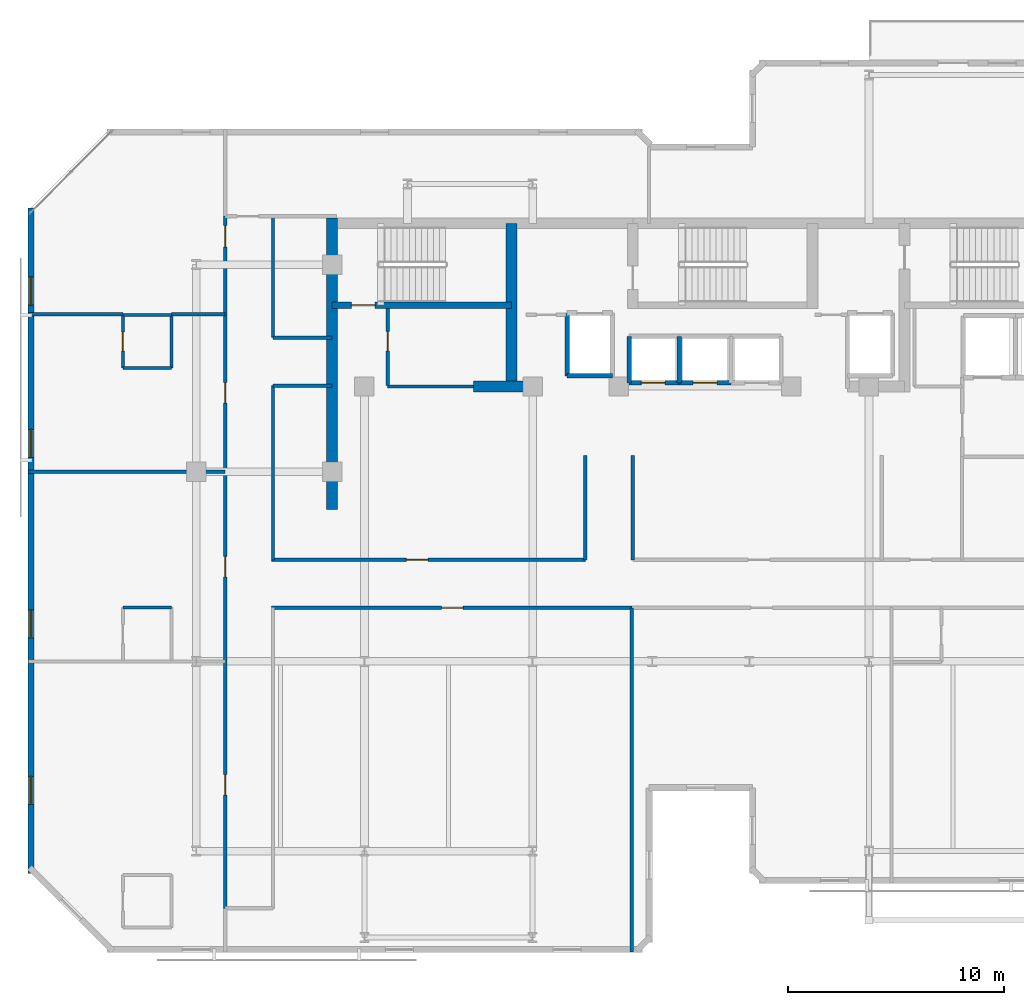
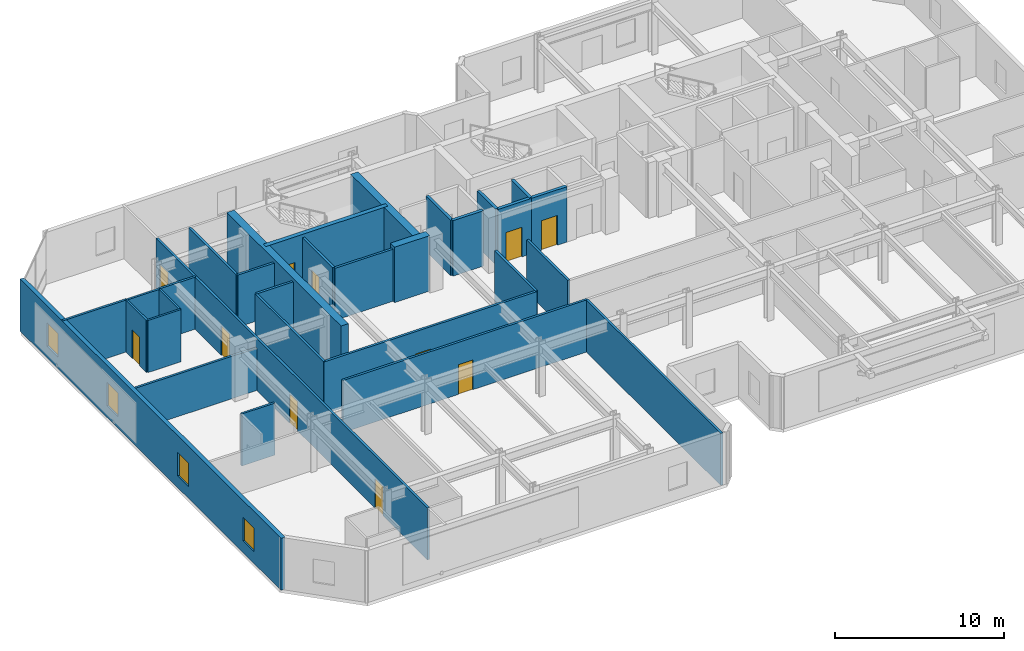
# One storey, part 4 of 10: 31 walls, 11 doors, 4 windows, 15 openings.
"""IFC4 building model written with IfcOpenShell, lengths in metres."""

from ifc_helpers import new_model, si_unit, direction, frame, frame_2d, origin, place, context, subcontext, project, spatial, rectangle, extrude, material, layer, layer_set, type_object, element, fill, save


model = new_model("IFC4")

# Units and contexts
model_context = context("Model", 3, precision=1e-05, world=origin(), true_north=direction((0.0, 1.0)))
body_context = subcontext(model_context, "Body", "Model", "MODEL_VIEW")
ifc_project = project(units=[si_unit("LENGTHUNIT", "METRE"), si_unit("AREAUNIT", "SQUARE_METRE"), si_unit("VOLUMEUNIT", "CUBIC_METRE"), si_unit("PLANEANGLEUNIT", "RADIAN"), si_unit("MASSUNIT", "GRAM", prefix="KILO")], contexts=[model_context])

# Site, building, storey
site_placement = place(None, origin())
site = spatial("IfcSite", under=ifc_project, at=site_placement, CompositionType="ELEMENT")
building_placement = place(site_placement, origin())
building = spatial("IfcBuilding", under=site, at=building_placement, Name="Kestravale Grand Hotel", CompositionType="ELEMENT")
storey_placement = place(building_placement, frame((0.0, 0.0, 261.39990234375)))
storey = spatial("IfcBuildingStorey", under=building, at=storey_placement, Name="L65", CompositionType="ELEMENT", Elevation=261.39990234375)

# Walls
ifc_material_1 = material(Name="Concrete f'c 50 MPa", Category="concrete")
ifc_layer_1 = layer(ifc_material_1, 0.5)
ifc_layer_set_1 = layer_set([ifc_layer_1], Name="EW-CORE-500")
wall_type_1 = type_object("IfcWallType", Name="EW-CORE-500", PredefinedType="SHEAR", material=ifc_layer_set_1)
wall_1_placement = place(storey_placement, frame((21.89990234375, 27.050048828125, 0.0), z_axis=(0.0, 0.0, 1.0), x_axis=(0.0, 1.0, 0.0)))
element("IfcWall", 1, at=wall_1_placement, inside=storey, type_object=wall_type_1, Name="L65 core shear wall W1", PredefinedType="SHEAR", context=body_context, shape_type="SweptSolid", body=[
    extrude(rectangle(XDim=13.52001953125, YDim=0.5, at=frame_2d((6.760009765625, 0.0))), origin(), (0.0, 0.0, 1.0), 4.0),
])
wall_2_placement = place(storey_placement, frame((28.449951171875, 32.75, 0.0), z_axis=(0.0, 0.0, 1.0), x_axis=(1.0, 0.0, 0.0)))
element("IfcWall", 2, at=wall_2_placement, inside=storey, type_object=wall_type_1, Name="L65 core shear wall S1", PredefinedType="SHEAR", context=body_context, shape_type="SweptSolid", body=[
    extrude(rectangle(XDim=2.400146484375, YDim=0.5, at=frame_2d((1.2001953125, 0.0))), origin(), (0.0, 0.0, 1.0), 4.0),
])
wall_3_placement = place(storey_placement, frame((30.219970703125, 33.0, 0.0), z_axis=(0.0, 0.0, 1.0), x_axis=(0.0, 1.0, 0.0)))
element("IfcWall", 3, at=wall_3_placement, inside=storey, type_object=wall_type_1, Name="L65 core shear wall X1", PredefinedType="SHEAR", context=body_context, shape_type="SweptSolid", body=[
    extrude(rectangle(XDim=7.320068359375, YDim=0.5, at=frame_2d((3.66015625, 0.0))), origin(), (0.0, 0.0, 1.0), 4.0),
])

# Wall, openings, windows
ifc_material_2 = material(Name="Precast concrete f'c 45 MPa", Category="concrete")
ifc_layer_2 = layer(ifc_material_2, 0.280029296875)
ifc_layer_set_2 = layer_set([ifc_layer_2], Name="EW-PREC-280")
wall_type_2 = type_object("IfcWallType", Name="EW-PREC-280", PredefinedType="SOLIDWALL", material=ifc_layer_set_2)
wall_4_placement = place(storey_placement, frame((7.93994140625, 41.0400390625, 0.0), z_axis=(0.0, 0.0, 1.0), x_axis=(0.0, -1.0, 0.0)))
wall_4 = element("IfcWall", 4, at=wall_4_placement, inside=storey, type_object=wall_type_2, Name="L65 fluted precast facade wall 19", PredefinedType="SOLIDWALL", context=body_context, shape_type="SweptSolid", body=[
    extrude(rectangle(XDim=30.880126953125, YDim=0.280029296875, at=frame_2d((15.43994140625, 0.0))), origin(), (0.0, 0.0, 1.0), 3.760009765625),
])
opening_1_placement = place(wall_4_placement, frame((3.2099609375, 0.0, 0.85009765625)))
opening_1 = element("IfcOpeningElement", 5, at=opening_1_placement, cuts=wall_4, Name="Opening W-GUEST-1300", PredefinedType="OPENING", context=body_context, shape_type="SweptSolid", body=[
    extrude(rectangle(XDim=1.300048828125, YDim=1.699951171875, at=frame_2d((0.64990234375, 0.85009765625))), frame((0.0, 0.14990234375, 0.0), z_axis=(0.0, -1.0, 0.0), x_axis=(1.0, 0.0, 0.0)), (0.0, 0.0, 1.0), 0.300048828125),
])
opening_2_placement = place(wall_4_placement, frame((10.280029296875, 0.0, 0.85009765625)))
opening_2 = element("IfcOpeningElement", 6, at=opening_2_placement, cuts=wall_4, Name="Opening W-GUEST-1300", PredefinedType="OPENING", context=body_context, shape_type="SweptSolid", body=[
    extrude(rectangle(XDim=1.300048828125, YDim=1.699951171875, at=frame_2d((0.64990234375, 0.85009765625))), frame((0.0, 0.14990234375, 0.0), z_axis=(0.0, -1.0, 0.0), x_axis=(1.0, 0.0, 0.0)), (0.0, 0.0, 1.0), 0.300048828125),
])
opening_3_placement = place(wall_4_placement, frame((18.64990234375, 0.0, 0.85009765625)))
opening_3 = element("IfcOpeningElement", 7, at=opening_3_placement, cuts=wall_4, Name="Opening W-GUEST-1300", PredefinedType="OPENING", context=body_context, shape_type="SweptSolid", body=[
    extrude(rectangle(XDim=1.300048828125, YDim=1.699951171875, at=frame_2d((0.64990234375, 0.85009765625))), frame((0.0, 0.14990234375, 0.0), z_axis=(0.0, -1.0, 0.0), x_axis=(1.0, 0.0, 0.0)), (0.0, 0.0, 1.0), 0.300048828125),
])
opening_4_placement = place(wall_4_placement, frame((26.3701171875, 0.0, 0.85009765625)))
opening_4 = element("IfcOpeningElement", 8, at=opening_4_placement, cuts=wall_4, Name="Opening W-GUEST-1300", PredefinedType="OPENING", context=body_context, shape_type="SweptSolid", body=[
    extrude(rectangle(XDim=1.300048828125, YDim=1.699951171875, at=frame_2d((0.64990234375, 0.85009765625))), frame((0.0, 0.14990234375, 0.0), z_axis=(0.0, -1.0, 0.0), x_axis=(1.0, 0.0, 0.0)), (0.0, 0.0, 1.0), 0.300048828125),
])
ifc_material_3 = material(Name="Insulated low-E double glazing in aluminium frame", Category="aluminium")
window_type = type_object("IfcWindowType", Name="W-GUEST-1300", PartitioningType="SINGLE_PANEL", PredefinedType="WINDOW", material=ifc_material_3)
window_1_placement = place(opening_1_placement, origin())
window_1 = element("IfcWindow", 9, at=window_1_placement, inside=storey, type_object=window_type, Name="L65 exterior window 19.1", OverallHeight=1.699951171875, OverallWidth=1.300048828125, PartitioningType="SINGLE_PANEL", PredefinedType="WINDOW", context=body_context, shape_type="SweptSolid", body=[
    extrude(rectangle(XDim=1.300048828125, YDim=1.699951171875, at=frame_2d((0.64990234375, 0.85009765625))), frame((0.0, 0.030029296875, 0.0), z_axis=(0.0, -1.0, 0.0), x_axis=(1.0, 0.0, 0.0)), (0.0, 0.0, 1.0), 0.06005859375),
])
fill(opening_1, window_1)
window_2_placement = place(opening_2_placement, origin())
window_2 = element("IfcWindow", 10, at=window_2_placement, inside=storey, type_object=window_type, Name="L65 exterior window 19.2", OverallHeight=1.699951171875, OverallWidth=1.300048828125, PartitioningType="SINGLE_PANEL", PredefinedType="WINDOW", context=body_context, shape_type="SweptSolid", body=[
    extrude(rectangle(XDim=1.300048828125, YDim=1.699951171875, at=frame_2d((0.64990234375, 0.85009765625))), frame((0.0, 0.030029296875, 0.0), z_axis=(0.0, -1.0, 0.0), x_axis=(1.0, 0.0, 0.0)), (0.0, 0.0, 1.0), 0.06005859375),
])
fill(opening_2, window_2)
window_3_placement = place(opening_3_placement, origin())
window_3 = element("IfcWindow", 11, at=window_3_placement, inside=storey, type_object=window_type, Name="L65 exterior window 19.3", OverallHeight=1.699951171875, OverallWidth=1.300048828125, PartitioningType="SINGLE_PANEL", PredefinedType="WINDOW", context=body_context, shape_type="SweptSolid", body=[
    extrude(rectangle(XDim=1.300048828125, YDim=1.699951171875, at=frame_2d((0.64990234375, 0.85009765625))), frame((0.0, 0.030029296875, 0.0), z_axis=(0.0, -1.0, 0.0), x_axis=(1.0, 0.0, 0.0)), (0.0, 0.0, 1.0), 0.06005859375),
])
fill(opening_3, window_3)
window_4_placement = place(opening_4_placement, origin())
window_4 = element("IfcWindow", 12, at=window_4_placement, inside=storey, type_object=window_type, Name="L65 exterior window 19.4", OverallHeight=1.699951171875, OverallWidth=1.300048828125, PartitioningType="SINGLE_PANEL", PredefinedType="WINDOW", context=body_context, shape_type="SweptSolid", body=[
    extrude(rectangle(XDim=1.300048828125, YDim=1.699951171875, at=frame_2d((0.64990234375, 0.85009765625))), frame((0.0, 0.030029296875, 0.0), z_axis=(0.0, -1.0, 0.0), x_axis=(1.0, 0.0, 0.0)), (0.0, 0.0, 1.0), 0.06005859375),
])
fill(opening_4, window_4)

# Wall, opening, door
ifc_material_4 = material(Name="Concrete f'c 45 MPa", Category="concrete")
ifc_layer_3 = layer(ifc_material_4, 0.300048828125)
ifc_layer_set_3 = layer_set([ifc_layer_3], Name="EW-STAIR-300")
wall_type_3 = type_object("IfcWallType", Name="EW-STAIR-300", PredefinedType="SHEAR", material=ifc_layer_set_3)
wall_5_placement = place(storey_placement, frame((21.89990234375, 36.52001953125, 0.0), z_axis=(0.0, 0.0, 1.0), x_axis=(1.0, 0.0, 0.0)))
wall_5 = element("IfcWall", 13, at=wall_5_placement, inside=storey, type_object=wall_type_3, Name="L65 stair enclosure shear wall SST1", PredefinedType="SHEAR", context=body_context, shape_type="SweptSolid", body=[
    extrude(rectangle(XDim=8.320068359375, YDim=0.300048828125, at=frame_2d((4.16015625, 0.0))), origin(), (0.0, 0.0, 1.0), 4.0),
])
opening_5_placement = place(wall_5_placement, frame((0.89990234375, 0.0, 0.0)))
opening_5 = element("IfcOpeningElement", 14, at=opening_5_placement, cuts=wall_5, Name="Opening D-ST-1100", PredefinedType="OPENING", context=body_context, shape_type="SweptSolid", body=[
    extrude(rectangle(XDim=1.10009765625, YDim=2.14990234375, at=frame_2d((0.550048828125, 1.074951171875))), frame((0.0, 0.159912109375, 0.0), z_axis=(0.0, -1.0, 0.0), x_axis=(1.0, 0.0, 0.0)), (0.0, 0.0, 1.0), 0.320068359375),
])
ifc_material_5 = material(Name="Galvanised 90-minute fire-rated steel stair door", Category="steel")
door_type_1 = type_object("IfcDoorType", Name="D-ST-1100", OperationType="NOTDEFINED", PredefinedType="DOOR", material=ifc_material_5)
door_1_placement = place(opening_5_placement, origin())
door_1 = element("IfcDoor", 15, at=door_1_placement, inside=storey, type_object=door_type_1, Name="L65 Stair ST-1 fire door", OperationType="SINGLE_SWING_RIGHT", OverallHeight=2.14990234375, OverallWidth=1.10009765625, PredefinedType="DOOR", context=body_context, shape_type="SweptSolid", body=[
    extrude(rectangle(XDim=1.10009765625, YDim=2.14990234375, at=frame_2d((0.550048828125, 1.074951171875))), frame((0.0, 0.02490234375, 0.0), z_axis=(0.0, -1.0, 0.0), x_axis=(1.0, 0.0, 0.0)), (0.0, 0.0, 1.0), 0.050048828125),
])
fill(opening_5, door_1)

ifc_material_6 = material(Name="Acoustic fire-rated gypsum board partition", Category="other")
ifc_layer_4 = layer(ifc_material_6, 0.159912109375)
ifc_layer_set_4 = layer_set([ifc_layer_4], Name="IW-CORR-160")
wall_type_4 = type_object("IfcWallType", Name="IW-CORR-160", PredefinedType="PARTITIONING", material=ifc_layer_set_4)
wall_6_placement = place(storey_placement, frame((24.47998046875, 32.800048828125, 0.0), z_axis=(0.0, 0.0, 1.0), x_axis=(0.0, 1.0, 0.0)))
wall_6 = element("IfcWall", 16, at=wall_6_placement, inside=storey, type_object=wall_type_4, Name="L65 west core vestibule wall", PredefinedType="PARTITIONING", context=body_context, shape_type="SweptSolid", body=[
    extrude(rectangle(XDim=3.570068359375, YDim=0.159912109375, at=frame_2d((1.78515625, 0.0))), origin(), (0.0, 0.0, 1.0), 3.760009765625),
])
opening_6_placement = place(wall_6_placement, frame((1.603515625, 0.0, 0.0)))
opening_6 = element("IfcOpeningElement", 17, at=opening_6_placement, cuts=wall_6, Name="Opening D-SH-900", PredefinedType="OPENING", context=body_context, shape_type="SweptSolid", body=[
    extrude(rectangle(XDim=0.89990234375, YDim=2.10009765625, at=frame_2d((0.449951171875, 1.050048828125))), frame((0.0, 0.08984375, 0.0), z_axis=(0.0, -1.0, 0.0), x_axis=(1.0, 0.0, 0.0)), (0.0, 0.0, 1.0), 0.179931640625),
])
ifc_material_7 = material(Name="Galvanised 90-minute shaft and service fire door", Category="steel")
door_type_2 = type_object("IfcDoorType", Name="D-SH-900", OperationType="NOTDEFINED", PredefinedType="DOOR", material=ifc_material_7)
door_2_placement = place(opening_6_placement, origin())
door_2 = element("IfcDoor", 18, at=door_2_placement, inside=storey, type_object=door_type_2, Name="D-L65-HK", OperationType="SINGLE_SWING_RIGHT", OverallHeight=2.10009765625, OverallWidth=0.89990234375, PredefinedType="DOOR", context=body_context, shape_type="SweptSolid", body=[
    extrude(rectangle(XDim=0.89990234375, YDim=2.10009765625, at=frame_2d((0.449951171875, 1.050048828125))), frame((0.0, 0.02490234375, 0.0), z_axis=(0.0, -1.0, 0.0), x_axis=(1.0, 0.0, 0.0)), (0.0, 0.0, 1.0), 0.050048828125),
])
fill(opening_6, door_2)

# Wall
wall_7_placement = place(storey_placement, frame((24.47998046875, 32.75, 0.0), z_axis=(0.0, 0.0, 1.0), x_axis=(1.0, 0.0, 0.0)))
element("IfcWall", 19, at=wall_7_placement, inside=storey, type_object=wall_type_4, Name="W-L65-CWS", PredefinedType="PARTITIONING", context=body_context, shape_type="SweptSolid", body=[
    extrude(rectangle(XDim=3.969970703125, YDim=0.159912109375, at=frame_2d((1.98486328125, 0.0))), origin(), (0.0, 0.0, 1.0), 3.760009765625),
])

# Wall, opening, door
wall_8_placement = place(storey_placement, frame((19.10009765625, 24.7099609375, 0.0), z_axis=(0.0, 0.0, 1.0), x_axis=(1.0, 0.0, 0.0)))
wall_8 = element("IfcWall", 20, at=wall_8_placement, inside=storey, type_object=wall_type_4, Name="W-L65-CW-N", PredefinedType="PARTITIONING", context=body_context, shape_type="SweptSolid", body=[
    extrude(rectangle(XDim=14.5498046875, YDim=0.159912109375, at=frame_2d((7.27490234375, 0.0))), origin(), (0.0, 0.0, 1.0), 3.760009765625),
])
opening_7_placement = place(wall_8_placement, frame((6.25, 0.0, 0.0)))
opening_7 = element("IfcOpeningElement", 21, at=opening_7_placement, cuts=wall_8, Name="Opening D-GUEST-1000", PredefinedType="OPENING", context=body_context, shape_type="SweptSolid", body=[
    extrude(rectangle(XDim=1.0, YDim=2.14990234375, at=frame_2d((0.5, 1.074951171875))), frame((0.0, 0.08984375, 0.0), z_axis=(0.0, -1.0, 0.0), x_axis=(1.0, 0.0, 0.0)), (0.0, 0.0, 1.0), 0.179931640625),
])
ifc_material_8 = material(Name="Accessible walnut veneer hotel entrance fire door", Category="wood")
door_type_3 = type_object("IfcDoorType", Name="D-GUEST-1000", OperationType="NOTDEFINED", PredefinedType="DOOR", material=ifc_material_8)
door_3_placement = place(opening_7_placement, origin())
door_3 = element("IfcDoor", 22, at=door_3_placement, inside=storey, type_object=door_type_3, Name="D-L65-RECL-W", OperationType="SINGLE_SWING_RIGHT", OverallHeight=2.14990234375, OverallWidth=1.0, PredefinedType="DOOR", context=body_context, shape_type="SweptSolid", body=[
    extrude(rectangle(XDim=1.0, YDim=2.14990234375, at=frame_2d((0.5, 1.074951171875))), frame((0.0, 0.02490234375, 0.0), z_axis=(0.0, -1.0, 0.0), x_axis=(1.0, 0.0, 0.0)), (0.0, 0.0, 1.0), 0.050048828125),
])
fill(opening_7, door_3)

# Walls
for number, where, z_axis, x_axis, name in (
    (23, (33.64990234375, 24.7099609375, 0.0), (0.0, 0.0, 1.0), (0.0, 1.0, 0.0), "W-L65-TRUNK-W"),
    (24, (35.85009765625, 24.7099609375, 0.0), (0.0, 0.0, 1.0), (0.0, 1.0, 0.0), "W-L65-TRUNK-E"),
):
    element("IfcWall", number, at=place(storey_placement, frame(where, z_axis=z_axis, x_axis=x_axis)), inside=storey, type_object=wall_type_4, Name=name, PredefinedType="PARTITIONING", context=body_context, shape_type="SweptSolid", body=[
        extrude(rectangle(XDim=4.840087890625, YDim=0.159912109375, at=frame_2d((2.419921875, 0.0))), origin(), (0.0, 0.0, 1.0), 3.760009765625),
    ])

# Wall, opening, door
wall_9_placement = place(storey_placement, frame((19.10009765625, 22.489990234375, 0.0), z_axis=(0.0, 0.0, 1.0), x_axis=(1.0, 0.0, 0.0)))
wall_9 = element("IfcWall", 25, at=wall_9_placement, inside=storey, type_object=wall_type_4, Name="W-L65-CW-S", PredefinedType="PARTITIONING", context=body_context, shape_type="SweptSolid", body=[
    extrude(rectangle(XDim=16.699951171875, YDim=0.159912109375, at=frame_2d((8.35009765625, 0.0))), origin(), (0.0, 0.0, 1.0), 3.760009765625),
])
opening_8_placement = place(wall_9_placement, frame((7.8798828125, 0.0, 0.0)))
opening_8 = element("IfcOpeningElement", 26, at=opening_8_placement, cuts=wall_9, Name="Opening D-GUEST-1000", PredefinedType="OPENING", context=body_context, shape_type="SweptSolid", body=[
    extrude(rectangle(XDim=1.0, YDim=2.14990234375, at=frame_2d((0.5, 1.074951171875))), frame((0.0, 0.08984375, 0.0), z_axis=(0.0, -1.0, 0.0), x_axis=(1.0, 0.0, 0.0)), (0.0, 0.0, 1.0), 0.179931640625),
])
door_4_placement = place(opening_8_placement, origin())
door_4 = element("IfcDoor", 27, at=door_4_placement, inside=storey, type_object=door_type_3, Name="D-L65-AMW", OperationType="SINGLE_SWING_LEFT", OverallHeight=2.14990234375, OverallWidth=1.0, PredefinedType="DOOR", context=body_context, shape_type="SweptSolid", body=[
    extrude(rectangle(XDim=1.0, YDim=2.14990234375, at=frame_2d((0.5, 1.074951171875))), frame((0.0, 0.02490234375, 0.0), z_axis=(0.0, -1.0, 0.0), x_axis=(1.0, 0.0, 0.0)), (0.0, 0.0, 1.0), 0.050048828125),
])
fill(opening_8, door_4)

# Wall, openings, doors
wall_10_placement = place(storey_placement, frame((16.93994140625, 8.550048828125, 0.0), z_axis=(0.0, 0.0, 1.0), x_axis=(0.0, 1.0, 0.0)))
wall_10 = element("IfcWall", 28, at=wall_10_placement, inside=storey, type_object=wall_type_4, Name="W-L65-SW-W", PredefinedType="PARTITIONING", context=body_context, shape_type="SweptSolid", body=[
    extrude(rectangle(XDim=32.099853515625, YDim=0.159912109375, at=frame_2d((16.0498046875, 0.0))), origin(), (0.0, 0.0, 1.0), 3.760009765625),
])
opening_9_placement = place(wall_10_placement, frame((5.25, 0.0, 0.0)))
opening_9 = element("IfcOpeningElement", 29, at=opening_9_placement, cuts=wall_10, Name="Opening D-GUEST-950", PredefinedType="OPENING", context=body_context, shape_type="SweptSolid", body=[
    extrude(rectangle(XDim=0.949951171875, YDim=2.10009765625, at=frame_2d((0.47509765625, 1.050048828125))), frame((0.0, 0.08984375, 0.0), z_axis=(0.0, -1.0, 0.0), x_axis=(1.0, 0.0, 0.0)), (0.0, 0.0, 1.0), 0.179931640625),
])
opening_10_placement = place(wall_10_placement, frame((15.375, 0.0, 0.0)))
opening_10 = element("IfcOpeningElement", 30, at=opening_10_placement, cuts=wall_10, Name="Opening D-GUEST-950", PredefinedType="OPENING", context=body_context, shape_type="SweptSolid", body=[
    extrude(rectangle(XDim=0.949951171875, YDim=2.10009765625, at=frame_2d((0.47509765625, 1.050048828125))), frame((0.0, 0.08984375, 0.0), z_axis=(0.0, -1.0, 0.0), x_axis=(1.0, 0.0, 0.0)), (0.0, 0.0, 1.0), 0.179931640625),
])
opening_11_placement = place(wall_10_placement, frame((23.425048828125, 0.0, 0.0)))
opening_11 = element("IfcOpeningElement", 31, at=opening_11_placement, cuts=wall_10, Name="Opening D-GUEST-950", PredefinedType="OPENING", context=body_context, shape_type="SweptSolid", body=[
    extrude(rectangle(XDim=0.949951171875, YDim=2.10009765625, at=frame_2d((0.47509765625, 1.050048828125))), frame((0.0, 0.08984375, 0.0), z_axis=(0.0, -1.0, 0.0), x_axis=(1.0, 0.0, 0.0)), (0.0, 0.0, 1.0), 0.179931640625),
])
opening_12_placement = place(wall_10_placement, frame((30.659912109375, 0.0, 0.0)))
opening_12 = element("IfcOpeningElement", 32, at=opening_12_placement, cuts=wall_10, Name="Opening D-GUEST-1000", PredefinedType="OPENING", context=body_context, shape_type="SweptSolid", body=[
    extrude(rectangle(XDim=1.0, YDim=2.14990234375, at=frame_2d((0.5, 1.074951171875))), frame((0.0, 0.08984375, 0.0), z_axis=(0.0, -1.0, 0.0), x_axis=(1.0, 0.0, 0.0)), (0.0, 0.0, 1.0), 0.179931640625),
])
door_5_placement = place(opening_12_placement, origin())
door_5 = element("IfcDoor", 33, at=door_5_placement, inside=storey, type_object=door_type_3, Name="D-L65-AMWW", OperationType="SINGLE_SWING_LEFT", OverallHeight=2.14990234375, OverallWidth=1.0, PredefinedType="DOOR", context=body_context, shape_type="SweptSolid", body=[
    extrude(rectangle(XDim=1.0, YDim=2.14990234375, at=frame_2d((0.5, 1.074951171875))), frame((0.0, 0.02490234375, 0.0), z_axis=(0.0, -1.0, 0.0), x_axis=(1.0, 0.0, 0.0)), (0.0, 0.0, 1.0), 0.050048828125),
])
fill(opening_12, door_5)
ifc_material_9 = material(Name="Walnut veneer hotel guestroom entrance fire door", Category="wood")
door_type_4 = type_object("IfcDoorType", Name="D-GUEST-950", OperationType="NOTDEFINED", PredefinedType="DOOR", material=ifc_material_9)
door_6_placement = place(opening_9_placement, origin())
door_6 = element("IfcDoor", 34, at=door_6_placement, inside=storey, type_object=door_type_4, Name="D-L65-U02-ENT", OperationType="SINGLE_SWING_RIGHT", OverallHeight=2.10009765625, OverallWidth=0.949951171875, PredefinedType="DOOR", context=body_context, shape_type="SweptSolid", body=[
    extrude(rectangle(XDim=0.949951171875, YDim=2.10009765625, at=frame_2d((0.47509765625, 1.050048828125))), frame((0.0, 0.02490234375, 0.0), z_axis=(0.0, -1.0, 0.0), x_axis=(1.0, 0.0, 0.0)), (0.0, 0.0, 1.0), 0.050048828125),
])
fill(opening_9, door_6)
door_7_placement = place(opening_10_placement, origin())
door_7 = element("IfcDoor", 35, at=door_7_placement, inside=storey, type_object=door_type_4, Name="D-L65-U03-ENT", OperationType="SINGLE_SWING_RIGHT", OverallHeight=2.10009765625, OverallWidth=0.949951171875, PredefinedType="DOOR", context=body_context, shape_type="SweptSolid", body=[
    extrude(rectangle(XDim=0.949951171875, YDim=2.10009765625, at=frame_2d((0.47509765625, 1.050048828125))), frame((0.0, 0.02490234375, 0.0), z_axis=(0.0, -1.0, 0.0), x_axis=(1.0, 0.0, 0.0)), (0.0, 0.0, 1.0), 0.050048828125),
])
fill(opening_10, door_7)
door_8_placement = place(opening_11_placement, origin())
door_8 = element("IfcDoor", 36, at=door_8_placement, inside=storey, type_object=door_type_4, Name="D-L65-U04-ENT", OperationType="SINGLE_SWING_RIGHT", OverallHeight=2.10009765625, OverallWidth=0.949951171875, PredefinedType="DOOR", context=body_context, shape_type="SweptSolid", body=[
    extrude(rectangle(XDim=0.949951171875, YDim=2.10009765625, at=frame_2d((0.47509765625, 1.050048828125))), frame((0.0, 0.02490234375, 0.0), z_axis=(0.0, -1.0, 0.0), x_axis=(1.0, 0.0, 0.0)), (0.0, 0.0, 1.0), 0.050048828125),
])
fill(opening_11, door_8)

# Walls
wall_11_placement = place(storey_placement, frame((19.159912109375, 35.02001953125, 0.0), z_axis=(0.0, 0.0, 1.0), x_axis=(0.0, 1.0, 0.0)))
element("IfcWall", 37, at=wall_11_placement, inside=storey, type_object=wall_type_4, Name="W-L65-SW-EN", PredefinedType="PARTITIONING", context=body_context, shape_type="SweptSolid", body=[
    extrude(rectangle(XDim=5.6298828125, YDim=0.159912109375, at=frame_2d((2.81494140625, 0.0))), origin(), (0.0, 0.0, 1.0), 3.760009765625),
])
for number, where, z_axis, x_axis, name in (
    (38, (19.159912109375, 35.02001953125, 0.0), (0.0, 0.0, 1.0), (1.0, 0.0, 0.0), "W-L65-SW-CN"),
    (39, (19.159912109375, 32.780029296875, 0.0), (0.0, 0.0, 1.0), (1.0, 0.0, 0.0), "W-L65-SW-CS"),
):
    element("IfcWall", number, at=place(storey_placement, frame(where, z_axis=z_axis, x_axis=x_axis)), inside=storey, type_object=wall_type_4, Name=name, PredefinedType="PARTITIONING", context=body_context, shape_type="SweptSolid", body=[
        extrude(rectangle(XDim=2.739990234375, YDim=0.159912109375, at=frame_2d((1.3701171875, 0.0))), origin(), (0.0, 0.0, 1.0), 3.760009765625),
    ])
ifc_material_10 = material(Name="Moisture-resistant tile-backer plumbing chase wall", Category="other")
ifc_layer_5 = layer(ifc_material_10, 0.139892578125)
ifc_layer_set_5 = layer_set([ifc_layer_5], Name="IW-PLB-140")
wall_type_5 = type_object("IfcWallType", Name="IW-PLB-140", PredefinedType="PLUMBINGWALL", material=ifc_layer_set_5)
wall_12_placement = place(storey_placement, frame((12.199951171875, 22.489990234375, 0.0), z_axis=(0.0, 0.0, 1.0), x_axis=(1.0, 0.0, 0.0)))
element("IfcWall", 40, at=wall_12_placement, inside=storey, type_object=wall_type_5, Name="W-L65-U03-BN", PredefinedType="PLUMBINGWALL", context=body_context, shape_type="SweptSolid", body=[
    extrude(rectangle(XDim=2.25, YDim=0.139892578125, at=frame_2d((1.125, 0.0))), origin(), (0.0, 0.0, 1.0), 3.760009765625),
])

# Wall, opening, door
wall_13_placement = place(storey_placement, frame((12.199951171875, 33.610107421875, 0.0), z_axis=(0.0, 0.0, 1.0), x_axis=(0.0, 1.0, 0.0)))
wall_13 = element("IfcWall", 41, at=wall_13_placement, inside=storey, type_object=wall_type_5, Name="W-L65-U04-BW", PredefinedType="PLUMBINGWALL", context=body_context, shape_type="SweptSolid", body=[
    extrude(rectangle(XDim=2.449951171875, YDim=0.139892578125, at=frame_2d((1.22509765625, 0.0))), origin(), (0.0, 0.0, 1.0), 3.760009765625),
])
opening_13_placement = place(wall_13_placement, frame((0.784912109375, 0.0, 0.0)))
opening_13 = element("IfcOpeningElement", 42, at=opening_13_placement, cuts=wall_13, Name="Opening D-BATH-880", PredefinedType="OPENING", context=body_context, shape_type="SweptSolid", body=[
    extrude(rectangle(XDim=0.8798828125, YDim=2.050048828125, at=frame_2d((0.43994140625, 1.02490234375))), frame((0.0, 0.079833984375, 0.0), z_axis=(0.0, -1.0, 0.0), x_axis=(1.0, 0.0, 0.0)), (0.0, 0.0, 1.0), 0.159912109375),
])
ifc_material_11 = material(Name="Moisture-sealed walnut en-suite bathroom door", Category="wood")
door_type_5 = type_object("IfcDoorType", Name="D-BATH-880", OperationType="NOTDEFINED", PredefinedType="DOOR", material=ifc_material_11)
door_9_placement = place(opening_13_placement, origin())
door_9 = element("IfcDoor", 43, at=door_9_placement, inside=storey, type_object=door_type_5, Name="D-L65-U04-BATH", OperationType="SINGLE_SWING_LEFT", OverallHeight=2.050048828125, OverallWidth=0.8798828125, PredefinedType="DOOR", context=body_context, shape_type="SweptSolid", body=[
    extrude(rectangle(XDim=0.8798828125, YDim=2.050048828125, at=frame_2d((0.43994140625, 1.02490234375))), frame((0.0, 0.02490234375, 0.0), z_axis=(0.0, -1.0, 0.0), x_axis=(1.0, 0.0, 0.0)), (0.0, 0.0, 1.0), 0.050048828125),
])
fill(opening_13, door_9)

# Walls
wall_14_placement = place(storey_placement, frame((14.449951171875, 33.610107421875, 0.0), z_axis=(0.0, 0.0, 1.0), x_axis=(0.0, 1.0, 0.0)))
element("IfcWall", 44, at=wall_14_placement, inside=storey, type_object=wall_type_5, Name="W-L65-U04-BE", PredefinedType="PLUMBINGWALL", context=body_context, shape_type="SweptSolid", body=[
    extrude(rectangle(XDim=2.449951171875, YDim=0.139892578125, at=frame_2d((1.22509765625, 0.0))), origin(), (0.0, 0.0, 1.0), 3.760009765625),
])
for number, where, z_axis, x_axis, name in (
    (45, (12.199951171875, 33.610107421875, 0.0), (0.0, 0.0, 1.0), (1.0, 0.0, 0.0), "W-L65-U04-BS"),
    (46, (12.199951171875, 36.06005859375, 0.0), (0.0, 0.0, 1.0), (1.0, 0.0, 0.0), "W-L65-U04-BN"),
):
    element("IfcWall", number, at=place(storey_placement, frame(where, z_axis=z_axis, x_axis=x_axis)), inside=storey, type_object=wall_type_5, Name=name, PredefinedType="PLUMBINGWALL", context=body_context, shape_type="SweptSolid", body=[
        extrude(rectangle(XDim=2.25, YDim=0.139892578125, at=frame_2d((1.125, 0.0))), origin(), (0.0, 0.0, 1.0), 3.760009765625),
    ])
ifc_material_12 = material(Name="Concrete f'c 45 MPa", Category="concrete")
ifc_layer_6 = layer(ifc_material_12, 0.199951171875)
ifc_layer_set_6 = layer_set([ifc_layer_6], Name="IW-SHAFT-200")
wall_type_6 = type_object("IfcWallType", Name="IW-SHAFT-200", PredefinedType="SHEAR", material=ifc_layer_set_6)
for number, where, z_axis, x_axis, name in (
    (47, (35.679931640625, 32.919921875, 0.0), (0.0, 0.0, 1.0), (0.0, 1.0, 0.0), "L65 PL-X1 west shaft wall"),
    (48, (38.0, 32.919921875, 0.0), (0.0, 0.0, 1.0), (0.0, 1.0, 0.0), "L65 PL-X2 west shaft wall"),
):
    element("IfcWall", number, at=place(storey_placement, frame(where, z_axis=z_axis, x_axis=x_axis)), inside=storey, type_object=wall_type_6, Name=name, PredefinedType="SHEAR", context=body_context, shape_type="SweptSolid", body=[
        extrude(rectangle(XDim=2.16015625, YDim=0.199951171875, at=frame_2d((1.080078125, 0.0))), origin(), (0.0, 0.0, 1.0), 4.0),
    ])
wall_15_placement = place(storey_placement, frame((32.804931640625, 33.2451171875, 0.0), z_axis=(0.0, 0.0, 1.0), x_axis=(0.0, 1.0, 0.0)))
element("IfcWall", 49, at=wall_15_placement, inside=storey, type_object=wall_type_6, Name="L65 FL-1 west shaft wall", PredefinedType="SHEAR", context=body_context, shape_type="SweptSolid", body=[
    extrude(rectangle(XDim=2.909912109375, YDim=0.199951171875, at=frame_2d((1.455078125, 0.0))), origin(), (0.0, 0.0, 1.0), 4.0),
])

# Wall, opening, door
ifc_material_13 = material(Name="Concrete f'c 45 MPa", Category="concrete")
ifc_layer_7 = layer(ifc_material_13, 0.219970703125)
ifc_layer_set_7 = layer_set([ifc_layer_7], Name="IW-SHAFT-220")
wall_type_7 = type_object("IfcWallType", Name="IW-SHAFT-220", PredefinedType="SHEAR", material=ifc_layer_set_7)
wall_16_placement = place(storey_placement, frame((35.679931640625, 32.919921875, 0.0), z_axis=(0.0, 0.0, 1.0), x_axis=(1.0, 0.0, 0.0)))
wall_16 = element("IfcWall", 50, at=wall_16_placement, inside=storey, type_object=wall_type_7, Name="L65 PL-X1 south shaft wall", PredefinedType="SHEAR", context=body_context, shape_type="SweptSolid", body=[
    extrude(rectangle(XDim=2.320068359375, YDim=0.219970703125, at=frame_2d((1.16015625, 0.0))), origin(), (0.0, 0.0, 1.0), 4.0),
])
opening_14_placement = place(wall_16_placement, frame((0.570068359375, 0.0, 0.0)))
opening_14 = element("IfcOpeningElement", 51, at=opening_14_placement, cuts=wall_16, Name="Opening LD-PAX-1100", PredefinedType="OPENING", context=body_context, shape_type="SweptSolid", body=[
    extrude(rectangle(XDim=1.10009765625, YDim=2.14990234375, at=frame_2d((0.550048828125, 1.074951171875))), frame((0.0, 0.119873046875, 0.0), z_axis=(0.0, -1.0, 0.0), x_axis=(1.0, 0.0, 0.0)), (0.0, 0.0, 1.0), 0.239990234375),
])
ifc_material_14 = material(Name="Champagne-bronze center-opening sliding elevator landing door", Category="steel")
door_type_6 = type_object("IfcDoorType", Name="LD-PAX-1100", OperationType="NOTDEFINED", PredefinedType="DOOR", material=ifc_material_14)
door_10_placement = place(opening_14_placement, origin())
door_10 = element("IfcDoor", 52, at=door_10_placement, inside=storey, type_object=door_type_6, Name="L65 PL-X1 elevator landing sliding door", OperationType="DOUBLE_DOOR_SLIDING", OverallHeight=2.14990234375, OverallWidth=1.10009765625, PredefinedType="DOOR", context=body_context, shape_type="SweptSolid", body=[
    extrude(rectangle(XDim=1.10009765625, YDim=2.14990234375, at=frame_2d((0.550048828125, 1.074951171875))), frame((0.0, 0.02490234375, 0.0), z_axis=(0.0, -1.0, 0.0), x_axis=(1.0, 0.0, 0.0)), (0.0, 0.0, 1.0), 0.050048828125),
])
fill(opening_14, door_10)

wall_17_placement = place(storey_placement, frame((38.0, 32.919921875, 0.0), z_axis=(0.0, 0.0, 1.0), x_axis=(1.0, 0.0, 0.0)))
wall_17 = element("IfcWall", 53, at=wall_17_placement, inside=storey, type_object=wall_type_7, Name="L65 PL-X2 south shaft wall", PredefinedType="SHEAR", context=body_context, shape_type="SweptSolid", body=[
    extrude(rectangle(XDim=2.39990234375, YDim=0.219970703125, at=frame_2d((1.199951171875, 0.0))), origin(), (0.0, 0.0, 1.0), 4.0),
])
opening_15_placement = place(wall_17_placement, frame((0.64990234375, 0.0, 0.0)))
opening_15 = element("IfcOpeningElement", 54, at=opening_15_placement, cuts=wall_17, Name="Opening LD-PAX-1100", PredefinedType="OPENING", context=body_context, shape_type="SweptSolid", body=[
    extrude(rectangle(XDim=1.10009765625, YDim=2.14990234375, at=frame_2d((0.550048828125, 1.074951171875))), frame((0.0, 0.119873046875, 0.0), z_axis=(0.0, -1.0, 0.0), x_axis=(1.0, 0.0, 0.0)), (0.0, 0.0, 1.0), 0.239990234375),
])
door_11_placement = place(opening_15_placement, origin())
door_11 = element("IfcDoor", 55, at=door_11_placement, inside=storey, type_object=door_type_6, Name="L65 PL-X2 elevator landing sliding door", OperationType="DOUBLE_DOOR_SLIDING", OverallHeight=2.14990234375, OverallWidth=1.10009765625, PredefinedType="DOOR", context=body_context, shape_type="SweptSolid", body=[
    extrude(rectangle(XDim=1.10009765625, YDim=2.14990234375, at=frame_2d((0.550048828125, 1.074951171875))), frame((0.0, 0.02490234375, 0.0), z_axis=(0.0, -1.0, 0.0), x_axis=(1.0, 0.0, 0.0)), (0.0, 0.0, 1.0), 0.050048828125),
])
fill(opening_15, door_11)

# Walls
wall_18_placement = place(storey_placement, frame((32.804931640625, 33.2451171875, 0.0), z_axis=(0.0, 0.0, 1.0), x_axis=(1.0, 0.0, 0.0)))
element("IfcWall", 56, at=wall_18_placement, inside=storey, type_object=wall_type_7, Name="L65 FL-1 south shaft wall", PredefinedType="SHEAR", context=body_context, shape_type="SweptSolid", body=[
    extrude(rectangle(XDim=2.090087890625, YDim=0.219970703125, at=frame_2d((1.044921875, 0.0))), origin(), (0.0, 0.0, 1.0), 4.0),
])
ifc_material_15 = material(Name="Double-stud STC 52 acoustic demising partition", Category="other")
ifc_layer_8 = layer(ifc_material_15, 0.14990234375)
ifc_layer_set_8 = layer_set([ifc_layer_8], Name="IW-UNIT-150")
wall_type_8 = type_object("IfcWallType", Name="IW-UNIT-150", PredefinedType="PARTITIONING", material=ifc_layer_set_8)
wall_19_placement = place(storey_placement, frame((19.159912109375, 24.7099609375, 0.0), z_axis=(0.0, 0.0, 1.0), x_axis=(0.0, 1.0, 0.0)))
element("IfcWall", 57, at=wall_19_placement, inside=storey, type_object=wall_type_8, Name="W-L65-RCLW-W", PredefinedType="PARTITIONING", context=body_context, shape_type="SweptSolid", body=[
    extrude(rectangle(XDim=8.090087890625, YDim=0.14990234375, at=frame_2d((4.044921875, 0.0))), origin(), (0.0, 0.0, 1.0), 3.760009765625),
])
wall_20_placement = place(storey_placement, frame((35.800048828125, 6.52001953125, 0.0), z_axis=(0.0, 0.0, 1.0), x_axis=(0.0, 1.0, 0.0)))
element("IfcWall", 58, at=wall_20_placement, inside=storey, type_object=wall_type_8, Name="W-L65-MID-S", PredefinedType="PARTITIONING", context=body_context, shape_type="SweptSolid", body=[
    extrude(rectangle(XDim=15.949951171875, YDim=0.14990234375, at=frame_2d((7.97509765625, 0.0))), origin(), (0.0, 0.0, 1.0), 3.760009765625),
])
wall_21_placement = place(storey_placement, frame((7.820068359375, 28.800048828125, 0.0), z_axis=(0.0, 0.0, 1.0), x_axis=(1.0, 0.0, 0.0)))
element("IfcWall", 59, at=wall_21_placement, inside=storey, type_object=wall_type_8, Name="W-L65-WW-2", PredefinedType="PARTITIONING", context=body_context, shape_type="SweptSolid", body=[
    extrude(rectangle(XDim=9.119873046875, YDim=0.14990234375, at=frame_2d((4.56005859375, 0.0))), origin(), (0.0, 0.0, 1.0), 3.064208984375),
])
wall_22_placement = place(storey_placement, frame((7.820068359375, 36.10009765625, 0.0), z_axis=(0.0, 0.0, 1.0), x_axis=(1.0, 0.0, 0.0)))
element("IfcWall", 60, at=wall_22_placement, inside=storey, type_object=wall_type_8, Name="W-L65-WW-3", PredefinedType="PARTITIONING", context=body_context, shape_type="SweptSolid", body=[
    extrude(rectangle(XDim=4.3798828125, YDim=0.14990234375, at=frame_2d((2.18994140625, 0.0))), origin(), (0.0, 0.0, 1.0), 3.760009765625),
])
wall_23_placement = place(storey_placement, frame((14.449951171875, 36.10009765625, 0.0), z_axis=(0.0, 0.0, 1.0), x_axis=(1.0, 0.0, 0.0)))
element("IfcWall", 61, at=wall_23_placement, inside=storey, type_object=wall_type_8, Name="W-L65-WW-3", PredefinedType="PARTITIONING", context=body_context, shape_type="SweptSolid", body=[
    extrude(rectangle(XDim=2.489990234375, YDim=0.14990234375, at=frame_2d((1.2451171875, 0.0))), origin(), (0.0, 0.0, 1.0), 3.760009765625),
])

save(model, "model.ifc")
